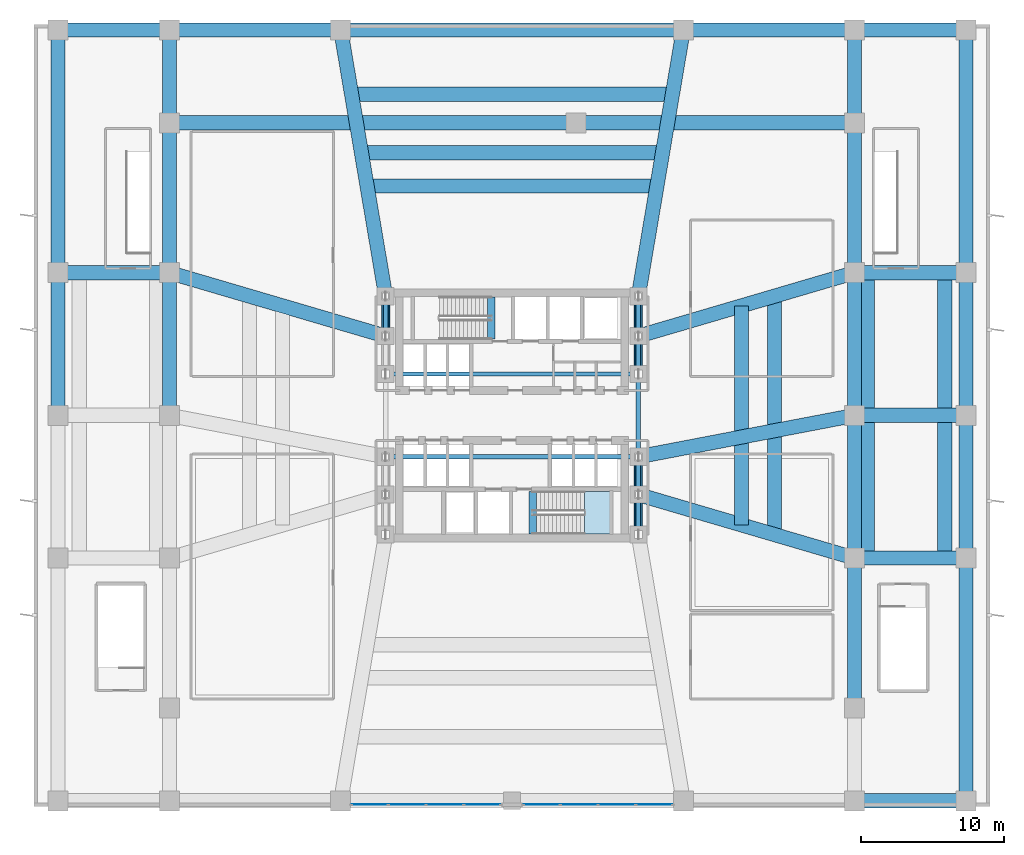
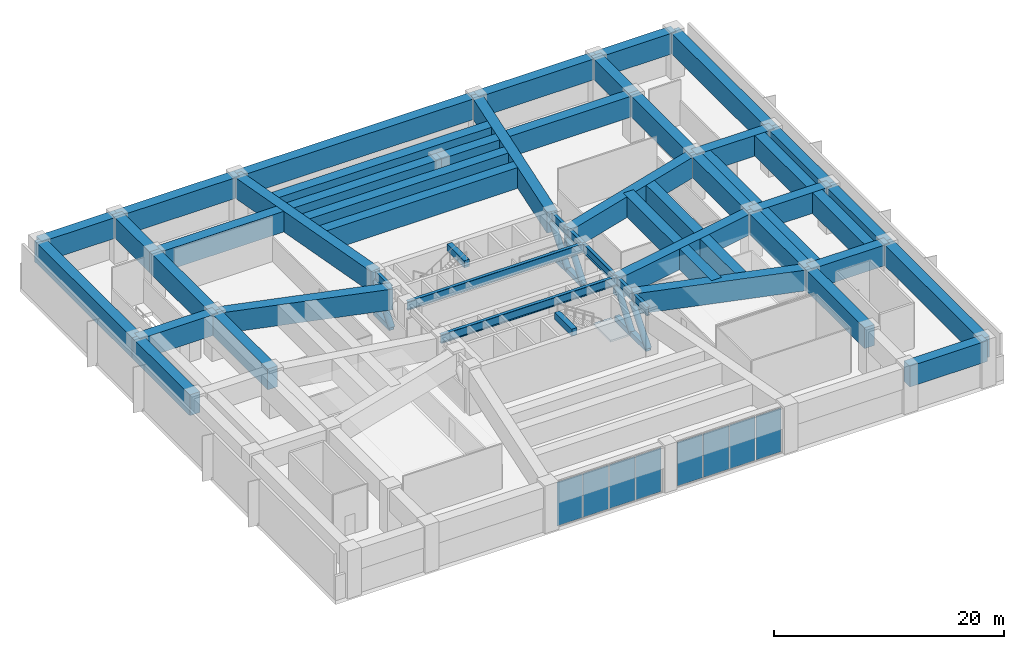
# One storey, part 5 of 14: 49 beams, 10 members, 8 plates, 1 slab, 3 elements without a shape of their own.
"""IFC4 building model written with IfcOpenShell, lengths in metres."""

from ifc_helpers import new_model, si_unit, direction, frame, origin, origin_2d, place, context, subcontext, project, spatial, polyline, rectangle, hollow_rectangle, hollow_circle, i_section, outline, extrude, material, layer, layer_set, material_profile, profile_set, type_object, element, aggregate, save


model = new_model("IFC4")

# Units and contexts
model_context = context("Model", 3, precision=1e-05, world=origin(), true_north=direction((0.0, 1.0)))
body_context = subcontext(model_context, "Body", "Model", "MODEL_VIEW")
ifc_project = project(units=[si_unit("LENGTHUNIT", "METRE"), si_unit("AREAUNIT", "SQUARE_METRE"), si_unit("VOLUMEUNIT", "CUBIC_METRE"), si_unit("PLANEANGLEUNIT", "RADIAN"), si_unit("MASSUNIT", "GRAM", prefix="KILO")], contexts=[model_context])

# Site, building, storey
site_placement = place(None, origin())
site = spatial("IfcSite", under=ifc_project, at=site_placement, CompositionType="ELEMENT")
building_placement = place(site_placement, origin())
building = spatial("IfcBuilding", under=site, at=building_placement, Name="Solmarez Civic Tower", CompositionType="ELEMENT")
storey_placement = place(building_placement, frame((0.0, 0.0, 19.43994140625)))
storey = spatial("IfcBuildingStorey", under=building, at=storey_placement, Name="L04", CompositionType="ELEMENT", Elevation=19.43994140625)

# Beams
ifc_material_1 = material(Name="Concrete C50/60", Category="concrete")
ifc_material_profile_1 = material_profile(ifc_material_1, rectangle(XDim=0.5, YDim=0.75, at=origin_2d()), Name="RC500X750")
ifc_profile_set_1 = profile_set([ifc_material_profile_1], Name="Concrete C50/60")
beam_type_1 = type_object("IfcBeamType", Name="BM-PR-RC500X750", PredefinedType="BEAM", material=ifc_profile_set_1)
for number, where, z_axis, x_axis, name in (
    (1, (-1.449951171875, 5.340087890625, 4.673095703125), (0.0, 1.0, 0.0), (-1.0, 0.0, 0.0), "L04 North Stair Threshold Beam"),
    (2, (1.449951171875, -8.300048828125, 4.673095703125), (0.0, 1.0, 0.0), (-1.0, 0.0, 0.0), "L04 South Stair Threshold Beam"),
):
    element("IfcBeam", number, at=place(storey_placement, frame(where, z_axis=z_axis, x_axis=x_axis)), inside=storey, type_object=beam_type_1, Name=name, PredefinedType="BEAM", context=body_context, shape_type="SweptSolid", body=[
        extrude(rectangle(XDim=0.5, YDim=0.75, at=origin_2d()), origin(), (0.0, 0.0, 1.0), 2.9599609375),
    ])
ifc_material_2 = material(Name="Steel S355", Category="steel")
ifc_material_profile_2 = material_profile(ifc_material_2, i_section(OverallWidth=0.306884765625, OverallDepth=0.927001953125, WebThickness=0.019287109375, FlangeThickness=0.031982421875, at=origin_2d()), Name="W36X194")
ifc_profile_set_2 = profile_set([ifc_material_profile_2], Name="Steel S355")
beam_type_2 = type_object("IfcBeamType", Name="BM-PR-W36X194", PredefinedType="BEAM", material=ifc_profile_set_2)
for number, where, z_axis, x_axis, name in (
    (3, (-8.85009765625, 5.550048828125, 4.316162109375), (0.0, 1.0, 0.0), (-1.0, 0.0, 0.0), "L04 Primary Floor Beam BM-L04-HC4-HC9"),
    (4, (8.85009765625, -8.35009765625, 4.316162109375), (0.0, 1.0, 0.0), (-1.0, 0.0, 0.0), "L04 Primary Floor Beam BM-L04-HC10-HC5"),
):
    element("IfcBeam", number, at=place(storey_placement, frame(where, z_axis=z_axis, x_axis=x_axis)), inside=storey, type_object=beam_type_2, Name=name, PredefinedType="BEAM", context=body_context, shape_type="SweptSolid", body=[
        extrude(i_section(OverallWidth=0.306884765625, OverallDepth=0.927001953125, WebThickness=0.019287109375, FlangeThickness=0.031982421875, at=origin_2d()), origin(), (0.0, 0.0, 1.0), 2.800048828125),
    ])
beam_1_placement = place(storey_placement, frame((8.85009765625, -5.550048828125, 4.316162109375), z_axis=(0.0, 1.0, 0.0), x_axis=(-1.0, 0.0, 0.0)))
element("IfcBeam", 5, at=beam_1_placement, inside=storey, type_object=beam_type_2, Name="L04 Primary Floor Beam BM-L04-HC5-HC6", PredefinedType="BEAM", context=body_context, shape_type="SweptSolid", body=[
    extrude(i_section(OverallWidth=0.306884765625, OverallDepth=0.927001953125, WebThickness=0.019287109375, FlangeThickness=0.031982421875, at=origin_2d()), origin(), (0.0, 0.0, 1.0), 2.650146484375),
])
beam_2_placement = place(storey_placement, frame((8.85009765625, -2.89990234375, 4.316162109375), z_axis=(0.0, 1.0, 0.0), x_axis=(-1.0, 0.0, 0.0)))
element("IfcBeam", 6, at=beam_2_placement, inside=storey, type_object=beam_type_2, Name="L04 Primary Floor Beam BM-L04-HC6-HC7", PredefinedType="BEAM", context=body_context, shape_type="SweptSolid", body=[
    extrude(i_section(OverallWidth=0.306884765625, OverallDepth=0.927001953125, WebThickness=0.019287109375, FlangeThickness=0.031982421875, at=origin_2d()), origin(), (0.0, 0.0, 1.0), 5.7998046875),
])
beam_3_placement = place(storey_placement, frame((8.85009765625, 2.89990234375, 4.316162109375), z_axis=(0.0, 1.0, 0.0), x_axis=(-1.0, 0.0, 0.0)))
element("IfcBeam", 7, at=beam_3_placement, inside=storey, type_object=beam_type_2, Name="L04 Primary Floor Beam BM-L04-HC7-HC8", PredefinedType="BEAM", context=body_context, shape_type="SweptSolid", body=[
    extrude(i_section(OverallWidth=0.306884765625, OverallDepth=0.927001953125, WebThickness=0.019287109375, FlangeThickness=0.031982421875, at=origin_2d()), origin(), (0.0, 0.0, 1.0), 2.650146484375),
])
beam_4_placement = place(storey_placement, frame((8.85009765625, 5.550048828125, 4.316162109375), z_axis=(0.0, 1.0, 0.0), x_axis=(-1.0, 0.0, 0.0)))
element("IfcBeam", 8, at=beam_4_placement, inside=storey, type_object=beam_type_2, Name="L04 Primary Floor Beam BM-L04-HC8-HC11", PredefinedType="BEAM", context=body_context, shape_type="SweptSolid", body=[
    extrude(i_section(OverallWidth=0.306884765625, OverallDepth=0.927001953125, WebThickness=0.019287109375, FlangeThickness=0.031982421875, at=origin_2d()), origin(), (0.0, 0.0, 1.0), 2.800048828125),
])
for number, where, z_axis, x_axis, name in (
    (9, (-8.85009765625, -2.89990234375, 4.316162109375), (1.0, 0.0, 0.0), (0.0, 1.0, 0.0), "L04 Primary Floor Beam BM-L04-HC2-HC6"),
    (10, (-8.85009765625, 2.89990234375, 4.316162109375), (1.0, 0.0, 0.0), (0.0, 1.0, 0.0), "L04 Primary Floor Beam BM-L04-HC3-HC7"),
):
    element("IfcBeam", number, at=place(storey_placement, frame(where, z_axis=z_axis, x_axis=x_axis)), inside=storey, type_object=beam_type_2, Name=name, PredefinedType="BEAM", context=body_context, shape_type="SweptSolid", body=[
        extrude(i_section(OverallWidth=0.306884765625, OverallDepth=0.927001953125, WebThickness=0.019287109375, FlangeThickness=0.031982421875, at=origin_2d()), origin(), (0.0, 0.0, 1.0), 17.7001953125),
    ])
ifc_material_3 = material(Name="Concrete C60/75", Category="concrete")
ifc_material_profile_3 = material_profile(ifc_material_3, rectangle(XDim=1.0, YDim=2.199951171875, at=origin_2d()), Name="RC1000X2200")
ifc_profile_set_3 = profile_set([ifc_material_profile_3], Name="Concrete C60/75")
beam_type_3 = type_object("IfcBeamType", Name="BM-TG-RC1000X2200", PredefinedType="USERDEFINED", material=ifc_profile_set_3)
for number, where, z_axis, x_axis, name in (
    (11, (24.0, -27.0, 3.68017578125), (1.0, 0.0, 0.0), (0.0, 1.0, 0.0), "L04 Transfer Girder BM-L04-PC05-PC06"),
    (12, (-31.800048828125, 27.0, 3.68017578125), (1.0, 0.0, 0.0), (0.0, 1.0, 0.0), "L04 Transfer Girder BM-L04-PC07-PC08"),
):
    element("IfcBeam", number, at=place(storey_placement, frame(where, z_axis=z_axis, x_axis=x_axis)), inside=storey, type_object=beam_type_3, Name=name, ObjectType="TRANSFER_GIRDER", PredefinedType="USERDEFINED", context=body_context, shape_type="SweptSolid", body=[
        extrude(rectangle(XDim=1.0, YDim=2.199951171875, at=origin_2d()), origin(), (0.0, 0.0, 1.0), 7.800048828125),
    ])
beam_5_placement = place(storey_placement, frame((-24.0, 27.0, 3.68017578125), z_axis=(1.0, 0.0, 0.0), x_axis=(0.0, 1.0, 0.0)))
element("IfcBeam", 13, at=beam_5_placement, inside=storey, type_object=beam_type_3, Name="L04 Transfer Girder BM-L04-PC08-PC09", ObjectType="TRANSFER_GIRDER", PredefinedType="USERDEFINED", context=body_context, shape_type="SweptSolid", body=[
    extrude(rectangle(XDim=1.0, YDim=2.199951171875, at=origin_2d()), origin(), (0.0, 0.0, 1.0), 12.0),
])
beam_6_placement = place(storey_placement, frame((-12.0, 27.0, 3.68017578125), z_axis=(1.0, 0.0, 0.0), x_axis=(0.0, 1.0, 0.0)))
element("IfcBeam", 14, at=beam_6_placement, inside=storey, type_object=beam_type_3, Name="L04 Transfer Girder BM-L04-PC09-PC10", ObjectType="TRANSFER_GIRDER", PredefinedType="USERDEFINED", context=body_context, shape_type="SweptSolid", body=[
    extrude(rectangle(XDim=1.0, YDim=2.199951171875, at=origin_2d()), origin(), (0.0, 0.0, 1.0), 24.0),
])
beam_7_placement = place(storey_placement, frame((-24.0, 20.5, 3.68017578125), z_axis=(1.0, 0.0, 0.0), x_axis=(0.0, 1.0, 0.0)))
element("IfcBeam", 15, at=beam_7_placement, inside=storey, type_object=beam_type_3, Name="L04 Transfer Girder BM-L04-PC29-PC25", ObjectType="TRANSFER_GIRDER", PredefinedType="USERDEFINED", context=body_context, shape_type="SweptSolid", body=[
    extrude(rectangle(XDim=1.0, YDim=2.199951171875, at=origin_2d()), origin(), (0.0, 0.0, 1.0), 28.5),
])
beam_8_placement = place(storey_placement, frame((4.5, 20.5, 3.68017578125), z_axis=(1.0, 0.0, 0.0), x_axis=(0.0, 1.0, 0.0)))
element("IfcBeam", 16, at=beam_8_placement, inside=storey, type_object=beam_type_3, Name="L04 Transfer Girder BM-L04-PC25-PC30", ObjectType="TRANSFER_GIRDER", PredefinedType="USERDEFINED", context=body_context, shape_type="SweptSolid", body=[
    extrude(rectangle(XDim=1.0, YDim=2.199951171875, at=origin_2d()), origin(), (0.0, 0.0, 1.0), 19.5),
])
beam_9_placement = place(storey_placement, frame((12.0, 27.0, 3.68017578125), z_axis=(1.0, 0.0, 0.0), x_axis=(0.0, 1.0, 0.0)))
element("IfcBeam", 17, at=beam_9_placement, inside=storey, type_object=beam_type_3, Name="L04 Transfer Girder BM-L04-PC10-PC11", ObjectType="TRANSFER_GIRDER", PredefinedType="USERDEFINED", context=body_context, shape_type="SweptSolid", body=[
    extrude(rectangle(XDim=1.0, YDim=2.199951171875, at=origin_2d()), origin(), (0.0, 0.0, 1.0), 12.0),
])
beam_10_placement = place(storey_placement, frame((24.0, 27.0, 3.68017578125), z_axis=(1.0, 0.0, 0.0), x_axis=(0.0, 1.0, 0.0)))
element("IfcBeam", 18, at=beam_10_placement, inside=storey, type_object=beam_type_3, Name="L04 Transfer Girder BM-L04-PC11-PC12", ObjectType="TRANSFER_GIRDER", PredefinedType="USERDEFINED", context=body_context, shape_type="SweptSolid", body=[
    extrude(rectangle(XDim=1.0, YDim=2.199951171875, at=origin_2d()), origin(), (0.0, 0.0, 1.0), 7.800048828125),
])
beam_11_placement = place(storey_placement, frame((-31.800048828125, 0.0, 3.68017578125), z_axis=(0.0, 1.0, 0.0), x_axis=(-1.0, 0.0, 0.0)))
element("IfcBeam", 19, at=beam_11_placement, inside=storey, type_object=beam_type_3, Name="L04 Transfer Girder BM-L04-PC14-PC15", ObjectType="TRANSFER_GIRDER", PredefinedType="USERDEFINED", context=body_context, shape_type="SweptSolid", body=[
    extrude(rectangle(XDim=1.0, YDim=2.199951171875, at=origin_2d()), origin(), (0.0, 0.0, 1.0), 10.0),
])
for number, where, z_axis, x_axis, name in (
    (20, (-31.800048828125, 10.0, 3.68017578125), (0.0, 1.0, 0.0), (-1.0, 0.0, 0.0), "L04 Transfer Girder BM-L04-PC15-PC07"),
    (21, (31.800048828125, -27.0, 3.68017578125), (0.0, 1.0, 0.0), (-1.0, 0.0, 0.0), "L04 Transfer Girder BM-L04-PC06-PC16"),
):
    element("IfcBeam", number, at=place(storey_placement, frame(where, z_axis=z_axis, x_axis=x_axis)), inside=storey, type_object=beam_type_3, Name=name, ObjectType="TRANSFER_GIRDER", PredefinedType="USERDEFINED", context=body_context, shape_type="SweptSolid", body=[
        extrude(rectangle(XDim=1.0, YDim=2.199951171875, at=origin_2d()), origin(), (0.0, 0.0, 1.0), 17.0),
    ])
for number, where, z_axis, x_axis, name in (
    (22, (31.800048828125, -10.0, 3.68017578125), (0.0, 1.0, 0.0), (-1.0, 0.0, 0.0), "L04 Transfer Girder BM-L04-PC16-PC17"),
    (23, (31.800048828125, 0.0, 3.68017578125), (0.0, 1.0, 0.0), (-1.0, 0.0, 0.0), "L04 Transfer Girder BM-L04-PC17-PC18"),
):
    element("IfcBeam", number, at=place(storey_placement, frame(where, z_axis=z_axis, x_axis=x_axis)), inside=storey, type_object=beam_type_3, Name=name, ObjectType="TRANSFER_GIRDER", PredefinedType="USERDEFINED", context=body_context, shape_type="SweptSolid", body=[
        extrude(rectangle(XDim=1.0, YDim=2.199951171875, at=origin_2d()), origin(), (0.0, 0.0, 1.0), 10.0),
    ])
beam_12_placement = place(storey_placement, frame((31.800048828125, 10.0, 3.68017578125), z_axis=(0.0, 1.0, 0.0), x_axis=(-1.0, 0.0, 0.0)))
element("IfcBeam", 24, at=beam_12_placement, inside=storey, type_object=beam_type_3, Name="L04 Transfer Girder BM-L04-PC18-PC12", ObjectType="TRANSFER_GIRDER", PredefinedType="USERDEFINED", context=body_context, shape_type="SweptSolid", body=[
    extrude(rectangle(XDim=1.0, YDim=2.199951171875, at=origin_2d()), origin(), (0.0, 0.0, 1.0), 17.0),
])
beam_13_placement = place(storey_placement, frame((-24.0, 0.0, 3.68017578125), z_axis=(0.0, 1.0, 0.0), x_axis=(-1.0, 0.0, 0.0)))
element("IfcBeam", 25, at=beam_13_placement, inside=storey, type_object=beam_type_3, Name="L04 Transfer Girder BM-L04-PC20-PC21", ObjectType="TRANSFER_GIRDER", PredefinedType="USERDEFINED", context=body_context, shape_type="SweptSolid", body=[
    extrude(rectangle(XDim=1.0, YDim=2.199951171875, at=origin_2d()), origin(), (0.0, 0.0, 1.0), 10.0),
])
beam_14_placement = place(storey_placement, frame((-24.0, 10.0, 3.68017578125), z_axis=(0.0, 1.0, 0.0), x_axis=(-1.0, 0.0, 0.0)))
element("IfcBeam", 26, at=beam_14_placement, inside=storey, type_object=beam_type_3, Name="L04 Transfer Girder BM-L04-PC21-PC29", ObjectType="TRANSFER_GIRDER", PredefinedType="USERDEFINED", context=body_context, shape_type="SweptSolid", body=[
    extrude(rectangle(XDim=1.0, YDim=2.199951171875, at=origin_2d()), origin(), (0.0, 0.0, 1.0), 10.5),
])
beam_15_placement = place(storey_placement, frame((-24.0, 20.5, 3.68017578125), z_axis=(0.0, 1.0, 0.0), x_axis=(-1.0, 0.0, 0.0)))
element("IfcBeam", 27, at=beam_15_placement, inside=storey, type_object=beam_type_3, Name="L04 Transfer Girder BM-L04-PC29-PC08", ObjectType="TRANSFER_GIRDER", PredefinedType="USERDEFINED", context=body_context, shape_type="SweptSolid", body=[
    extrude(rectangle(XDim=1.0, YDim=2.199951171875, at=origin_2d()), origin(), (0.0, 0.0, 1.0), 6.5),
])
beam_16_placement = place(storey_placement, frame((24.0, -20.5, 3.68017578125), z_axis=(0.0, 1.0, 0.0), x_axis=(-1.0, 0.0, 0.0)))
element("IfcBeam", 28, at=beam_16_placement, inside=storey, type_object=beam_type_3, Name="L04 Transfer Girder BM-L04-PC28-PC22", ObjectType="TRANSFER_GIRDER", PredefinedType="USERDEFINED", context=body_context, shape_type="SweptSolid", body=[
    extrude(rectangle(XDim=1.0, YDim=2.199951171875, at=origin_2d()), origin(), (0.0, 0.0, 1.0), 10.5),
])
for number, where, z_axis, x_axis, name in (
    (29, (24.0, -10.0, 3.68017578125), (0.0, 1.0, 0.0), (-1.0, 0.0, 0.0), "L04 Transfer Girder BM-L04-PC22-PC23"),
    (30, (24.0, 0.0, 3.68017578125), (0.0, 1.0, 0.0), (-1.0, 0.0, 0.0), "L04 Transfer Girder BM-L04-PC23-PC24"),
):
    element("IfcBeam", number, at=place(storey_placement, frame(where, z_axis=z_axis, x_axis=x_axis)), inside=storey, type_object=beam_type_3, Name=name, ObjectType="TRANSFER_GIRDER", PredefinedType="USERDEFINED", context=body_context, shape_type="SweptSolid", body=[
        extrude(rectangle(XDim=1.0, YDim=2.199951171875, at=origin_2d()), origin(), (0.0, 0.0, 1.0), 10.0),
    ])
beam_17_placement = place(storey_placement, frame((24.0, 10.0, 3.68017578125), z_axis=(0.0, 1.0, 0.0), x_axis=(-1.0, 0.0, 0.0)))
element("IfcBeam", 31, at=beam_17_placement, inside=storey, type_object=beam_type_3, Name="L04 Transfer Girder BM-L04-PC24-PC30", ObjectType="TRANSFER_GIRDER", PredefinedType="USERDEFINED", context=body_context, shape_type="SweptSolid", body=[
    extrude(rectangle(XDim=1.0, YDim=2.199951171875, at=origin_2d()), origin(), (0.0, 0.0, 1.0), 10.5),
])
beam_18_placement = place(storey_placement, frame((24.0, 20.5, 3.68017578125), z_axis=(0.0, 1.0, 0.0), x_axis=(-1.0, 0.0, 0.0)))
element("IfcBeam", 32, at=beam_18_placement, inside=storey, type_object=beam_type_3, Name="L04 Transfer Girder BM-L04-PC30-PC11", ObjectType="TRANSFER_GIRDER", PredefinedType="USERDEFINED", context=body_context, shape_type="SweptSolid", body=[
    extrude(rectangle(XDim=1.0, YDim=2.199951171875, at=origin_2d()), origin(), (0.0, 0.0, 1.0), 6.5),
])
for number, where, z_axis, x_axis, name in (
    (33, (-31.800048828125, 10.0, 3.68017578125), (1.0, 0.0, 0.0), (0.0, 1.0, 0.0), "L04 Transfer Girder BM-L04-PC15-PC21"),
    (34, (31.800048828125, -10.0, 3.68017578125), (-1.0, 0.0, 0.0), (0.0, -1.0, 0.0), "L04 Transfer Girder BM-L04-PC16-PC22"),
    (35, (31.800048828125, 0.0, 3.68017578125), (-1.0, 0.0, 0.0), (0.0, -1.0, 0.0), "L04 Transfer Girder BM-L04-PC17-PC23"),
    (36, (31.800048828125, 10.0, 3.68017578125), (-1.0, 0.0, 0.0), (0.0, -1.0, 0.0), "L04 Transfer Girder BM-L04-PC18-PC24"),
):
    element("IfcBeam", number, at=place(storey_placement, frame(where, z_axis=z_axis, x_axis=x_axis)), inside=storey, type_object=beam_type_3, Name=name, ObjectType="TRANSFER_GIRDER", PredefinedType="USERDEFINED", context=body_context, shape_type="SweptSolid", body=[
        extrude(rectangle(XDim=1.0, YDim=2.199951171875, at=origin_2d()), origin(), (0.0, 0.0, 1.0), 7.800048828125),
    ])
for number, where, z_axis, x_axis, name in (
    (37, (-24.0, 10.0, 3.68017578125), (0.959466630969, -0.281822256143, 0.0), (0.281822256143, 0.959466630969, 0.0), "L04 Transfer Girder BM-L04-PC21-HC4"),
    (38, (24.0, -10.0, 3.68017578125), (-0.959466630969, 0.281822256143, 0.0), (-0.281822256143, -0.959466630969, 0.0), "L04 Transfer Girder BM-L04-PC22-HC5"),
):
    element("IfcBeam", number, at=place(storey_placement, frame(where, z_axis=z_axis, x_axis=x_axis)), inside=storey, type_object=beam_type_3, Name=name, ObjectType="TRANSFER_GIRDER", PredefinedType="USERDEFINED", context=body_context, shape_type="SweptSolid", body=[
        extrude(rectangle(XDim=1.0, YDim=2.199951171875, at=origin_2d()), origin(), (0.0, 0.0, 1.0), 15.7900390625),
    ])
beam_19_placement = place(storey_placement, frame((24.0, 0.0, 3.68017578125), z_axis=(-0.982168874333, -0.188000803966, 0.0), x_axis=(0.188000803966, -0.982168874333, 0.0)))
element("IfcBeam", 39, at=beam_19_placement, inside=storey, type_object=beam_type_3, Name="L04 Transfer Girder BM-L04-PC23-HC6", ObjectType="TRANSFER_GIRDER", PredefinedType="USERDEFINED", context=body_context, shape_type="SweptSolid", body=[
    extrude(rectangle(XDim=1.0, YDim=2.199951171875, at=origin_2d()), origin(), (0.0, 0.0, 1.0), 15.425048828125),
])
beam_20_placement = place(storey_placement, frame((24.0, 10.0, 3.68017578125), z_axis=(-0.959466630969, -0.281822256143, 0.0), x_axis=(0.281822256143, -0.959466630969, 0.0)))
element("IfcBeam", 40, at=beam_20_placement, inside=storey, type_object=beam_type_3, Name="L04 Transfer Girder BM-L04-PC24-HC8", ObjectType="TRANSFER_GIRDER", PredefinedType="USERDEFINED", context=body_context, shape_type="SweptSolid", body=[
    extrude(rectangle(XDim=1.0, YDim=2.199951171875, at=origin_2d()), origin(), (0.0, 0.0, 1.0), 15.7900390625),
])
for number, where, z_axis, x_axis, name in (
    (41, (-12.0, 27.0, 3.68017578125), (0.166537824737, -0.986035066786, 0.0), (0.986035066786, 0.166537824737, 0.0), "L04 Transfer Girder BM-L04-PC09-HC9"),
    (42, (12.0, 27.0, 3.68017578125), (-0.166537824737, -0.986035066786, 0.0), (0.986035066786, -0.166537824737, 0.0), "L04 Transfer Girder BM-L04-PC10-HC11"),
):
    element("IfcBeam", number, at=place(storey_placement, frame(where, z_axis=z_axis, x_axis=x_axis)), inside=storey, type_object=beam_type_3, Name=name, ObjectType="TRANSFER_GIRDER", PredefinedType="USERDEFINED", context=body_context, shape_type="SweptSolid", body=[
        extrude(rectangle(XDim=1.0, YDim=2.199951171875, at=origin_2d()), origin(), (0.0, 0.0, 1.0), 18.9140625),
    ])
beam_21_placement = place(storey_placement, frame((18.39111328125, -8.35205078125, 3.68017578125), z_axis=(0.0, 1.0, 0.0), x_axis=(-1.0, 0.0, 0.0)))
element("IfcBeam", 43, at=beam_21_placement, inside=storey, type_object=beam_type_3, Name="L04 Transfer Girder TG-L04-EA11", ObjectType="TRANSFER_GIRDER", PredefinedType="USERDEFINED", context=body_context, shape_type="SweptSolid", body=[
    extrude(rectangle(XDim=1.0, YDim=2.199951171875, at=origin_2d()), origin(), (0.0, 0.0, 1.0), 16.7041015625),
])
beam_22_placement = place(storey_placement, frame((16.075927734375, -7.672119140625, 3.68017578125), z_axis=(0.0, 1.0, 0.0), x_axis=(-1.0, 0.0, 0.0)))
element("IfcBeam", 44, at=beam_22_placement, inside=storey, type_object=beam_type_3, Name="L04 Transfer Girder TG-L04-EA12", ObjectType="TRANSFER_GIRDER", PredefinedType="USERDEFINED", context=body_context, shape_type="SweptSolid", body=[
    extrude(rectangle(XDim=1.0, YDim=2.199951171875, at=origin_2d()), origin(), (0.0, 0.0, 1.0), 15.34423828125),
])
for number, where, z_axis, x_axis, name in (
    (45, (30.318115234375, -10.0, 3.68017578125), (0.0, 1.0, 0.0), (-1.0, 0.0, 0.0), "L04 Transfer Girder TG-L04-EA21"),
    (46, (24.887939453125, -10.0, 3.68017578125), (0.0, 1.0, 0.0), (-1.0, 0.0, 0.0), "L04 Transfer Girder TG-L04-EA22"),
):
    element("IfcBeam", number, at=place(storey_placement, frame(where, z_axis=z_axis, x_axis=x_axis)), inside=storey, type_object=beam_type_3, Name=name, ObjectType="TRANSFER_GIRDER", PredefinedType="USERDEFINED", context=body_context, shape_type="SweptSolid", body=[
        extrude(rectangle(XDim=1.0, YDim=2.199951171875, at=origin_2d()), origin(), (0.0, 0.0, 1.0), 20.0),
    ])
beam_23_placement = place(storey_placement, frame((-10.455078125, 18.39111328125, 3.68017578125), z_axis=(1.0, 0.0, 0.0), x_axis=(0.0, 1.0, 0.0)))
element("IfcBeam", 47, at=beam_23_placement, inside=storey, type_object=beam_type_3, Name="L04 Transfer Girder TG-L04-NA11", ObjectType="TRANSFER_GIRDER", PredefinedType="USERDEFINED", context=body_context, shape_type="SweptSolid", body=[
    extrude(rectangle(XDim=1.0, YDim=2.199951171875, at=origin_2d()), origin(), (0.0, 0.0, 1.0), 20.91015625),
])
beam_24_placement = place(storey_placement, frame((-10.0390625, 16.075927734375, 3.68017578125), z_axis=(1.0, 0.0, 0.0), x_axis=(0.0, 1.0, 0.0)))
element("IfcBeam", 48, at=beam_24_placement, inside=storey, type_object=beam_type_3, Name="L04 Transfer Girder TG-L04-NA12", ObjectType="TRANSFER_GIRDER", PredefinedType="USERDEFINED", context=body_context, shape_type="SweptSolid", body=[
    extrude(rectangle(XDim=1.0, YDim=2.199951171875, at=origin_2d()), origin(), (0.0, 0.0, 1.0), 20.078125),
])
beam_25_placement = place(storey_placement, frame((-11.194091796875, 22.507080078125, 3.68017578125), z_axis=(1.0, 0.0, 0.0), x_axis=(0.0, 1.0, 0.0)))
element("IfcBeam", 49, at=beam_25_placement, inside=storey, type_object=beam_type_3, Name="L04 Transfer Girder TG-L04-NA22", ObjectType="TRANSFER_GIRDER", PredefinedType="USERDEFINED", context=body_context, shape_type="SweptSolid", body=[
    extrude(rectangle(XDim=1.0, YDim=2.199951171875, at=origin_2d()), origin(), (0.0, 0.0, 1.0), 22.38818359375),
])

# Members
ifc_material_profile_4 = material_profile(ifc_material_2, hollow_circle(Radius=0.304931640625, WallThickness=0.02490234375, at=origin_2d()), Name="CHS610X25")
ifc_profile_set_4 = profile_set([ifc_material_profile_4], Name="Steel S355")
member_type_1 = type_object("IfcMemberType", Name="MEM-BRC-CHS610", PredefinedType="BRACE", material=ifc_profile_set_4)
for number, where, z_axis, x_axis, name in (
    (50, (-8.85009765625, 5.550048828125, 0.35009765625), (0.0, 0.637960380463, 0.770069187125), (-1.0, 0.0, 0.0), "L04 Belt Truss Diagonal Brace 4"),
    (51, (8.85009765625, -8.35009765625, 0.35009765625), (0.0, 0.637960380463, 0.770069187125), (-1.0, 0.0, 0.0), "L04 Belt Truss Diagonal Brace 5"),
):
    element("IfcMember", number, at=place(storey_placement, frame(where, z_axis=z_axis, x_axis=x_axis)), inside=storey, type_object=member_type_1, Name=name, PredefinedType="BRACE", context=body_context, shape_type="SweptSolid", body=[
        extrude(hollow_circle(Radius=0.304931640625, WallThickness=0.02490234375, at=origin_2d()), origin(), (0.0, 0.0, 1.0), 4.38916015625),
    ])
for number, where, z_axis, x_axis, name in (
    (52, (8.85009765625, -5.550048828125, 0.35009765625), (0.0, 0.617032967918, 0.786937301507), (-1.0, 0.0, 0.0), "L04 Belt Truss Diagonal Brace 6"),
    (53, (8.85009765625, 2.89990234375, 0.35009765625), (0.0, 0.617032967918, 0.786937301507), (-1.0, 0.0, 0.0), "L04 Belt Truss Diagonal Brace 7"),
):
    element("IfcMember", number, at=place(storey_placement, frame(where, z_axis=z_axis, x_axis=x_axis)), inside=storey, type_object=member_type_1, Name=name, PredefinedType="BRACE", context=body_context, shape_type="SweptSolid", body=[
        extrude(hollow_circle(Radius=0.304931640625, WallThickness=0.02490234375, at=origin_2d()), origin(), (0.0, 0.0, 1.0), 4.294921875),
    ])
member_1_placement = place(storey_placement, frame((8.85009765625, 5.550048828125, 0.35009765625), z_axis=(0.0, 0.637960380463, 0.770069187125), x_axis=(-1.0, 0.0, 0.0)))
element("IfcMember", 54, at=member_1_placement, inside=storey, type_object=member_type_1, Name="L04 Belt Truss Diagonal Brace 8", PredefinedType="BRACE", context=body_context, shape_type="SweptSolid", body=[
    extrude(hollow_circle(Radius=0.304931640625, WallThickness=0.02490234375, at=origin_2d()), origin(), (0.0, 0.0, 1.0), 4.38916015625),
])
ifc_material_profile_5 = material_profile(ifc_material_2, hollow_rectangle(XDim=0.5, YDim=0.5, WallThickness=0.02490234375, at=origin_2d()), Name="HSS500X500X25")
ifc_profile_set_5 = profile_set([ifc_material_profile_5], Name="Steel S355")
member_type_2 = type_object("IfcMemberType", Name="MEM-CHD-HSS500", PredefinedType="CHORD", material=ifc_profile_set_5)
for number, where, z_axis, x_axis, name in (
    (55, (-8.85009765625, 5.550048828125, 0.35009765625), (0.0, 1.0, 0.0), (-1.0, 0.0, 0.0), "L04 Belt Truss Bottom Chord 4"),
    (56, (8.85009765625, -8.35009765625, 0.35009765625), (0.0, 1.0, 0.0), (-1.0, 0.0, 0.0), "L04 Belt Truss Bottom Chord 5"),
):
    element("IfcMember", number, at=place(storey_placement, frame(where, z_axis=z_axis, x_axis=x_axis)), inside=storey, type_object=member_type_2, Name=name, PredefinedType="CHORD", context=body_context, shape_type="SweptSolid", body=[
        extrude(hollow_rectangle(XDim=0.5, YDim=0.5, WallThickness=0.02490234375, at=origin_2d()), origin(), (0.0, 0.0, 1.0), 2.800048828125),
    ])
for number, where, z_axis, x_axis, name in (
    (57, (8.85009765625, -5.550048828125, 0.35009765625), (0.0, 1.0, 0.0), (-1.0, 0.0, 0.0), "L04 Belt Truss Bottom Chord 6"),
    (58, (8.85009765625, 2.89990234375, 0.35009765625), (0.0, 1.0, 0.0), (-1.0, 0.0, 0.0), "L04 Belt Truss Bottom Chord 7"),
):
    element("IfcMember", number, at=place(storey_placement, frame(where, z_axis=z_axis, x_axis=x_axis)), inside=storey, type_object=member_type_2, Name=name, PredefinedType="CHORD", context=body_context, shape_type="SweptSolid", body=[
        extrude(hollow_rectangle(XDim=0.5, YDim=0.5, WallThickness=0.02490234375, at=origin_2d()), origin(), (0.0, 0.0, 1.0), 2.650146484375),
    ])
member_2_placement = place(storey_placement, frame((8.85009765625, 5.550048828125, 0.35009765625), z_axis=(0.0, 1.0, 0.0), x_axis=(-1.0, 0.0, 0.0)))
element("IfcMember", 59, at=member_2_placement, inside=storey, type_object=member_type_2, Name="L04 Belt Truss Bottom Chord 8", PredefinedType="CHORD", context=body_context, shape_type="SweptSolid", body=[
    extrude(hollow_rectangle(XDim=0.5, YDim=0.5, WallThickness=0.02490234375, at=origin_2d()), origin(), (0.0, 0.0, 1.0), 2.800048828125),
])

# Curtain wall, plates
ifc_material_4 = material(Name="Bronze Anodised Aluminium EN AW-6063 T6", Category="aluminium")
ifc_layer_1 = layer(ifc_material_4, 0.199951171875)
ifc_layer_set_1 = layer_set([ifc_layer_1], Name="Bronze Anodised Aluminium EN AW-6063 T6")
curtain_wall_type = type_object("IfcCurtainWallType", Name="CW-SYS-1", PredefinedType="NOTDEFINED", material=ifc_layer_set_1)
curtain_wall_1_placement = place(storey_placement, origin())
curtain_wall_1 = element("IfcCurtainWall", 60, at=curtain_wall_1_placement, inside=storey, type_object=curtain_wall_type, Name="L04 Podium Monumental Curtain Wall SE", PredefinedType="NOTDEFINED")
ifc_material_5 = material(Name="Solar Control Low-E Laminated Vision Glass", Category="glass")
ifc_layer_2 = layer(ifc_material_5, 0.028076171875)
ifc_layer_set_2 = layer_set([ifc_layer_2], Name="Solar Control Low-E Laminated Vision Glass")
plate_type = type_object("IfcPlateType", Name="CWP-GLAZ-28", PredefinedType="CURTAIN_PANEL", material=ifc_layer_set_2)
plate_1_placement = place(storey_placement, frame((9.96240234375, -27.27001953125, 0.0703125), z_axis=(0.0, 0.0, 1.0), x_axis=(-1.0, 0.0, 0.0)))
plate_1 = element("IfcPlate", 61, at=plate_1_placement, type_object=plate_type, Name="CWS1 panel 1.1", PredefinedType="CURTAIN_PANEL", context=body_context, shape_type="SweptSolid", body=[
    extrude(rectangle(XDim=2.52490234375, YDim=0.028076171875, at=origin_2d()), origin(), (0.0, 0.0, 1.0), 4.639892578125),
])
plate_2_placement = place(storey_placement, frame((7.34375, -27.27001953125, 0.0703125), z_axis=(0.0, 0.0, 1.0), x_axis=(-1.0, 0.0, 0.0)))
plate_2 = element("IfcPlate", 62, at=plate_2_placement, type_object=plate_type, Name="CWS1 panel 2.1", PredefinedType="CURTAIN_PANEL", context=body_context, shape_type="SweptSolid", body=[
    extrude(rectangle(XDim=2.5625, YDim=0.028076171875, at=origin_2d()), origin(), (0.0, 0.0, 1.0), 4.639892578125),
])
plate_3_placement = place(storey_placement, frame((4.706298828125, -27.27001953125, 0.0703125), z_axis=(0.0, 0.0, 1.0), x_axis=(-1.0, 0.0, 0.0)))
plate_3 = element("IfcPlate", 63, at=plate_3_placement, type_object=plate_type, Name="CWS1 panel 3.1", PredefinedType="CURTAIN_PANEL", context=body_context, shape_type="SweptSolid", body=[
    extrude(rectangle(XDim=2.5625, YDim=0.028076171875, at=origin_2d()), origin(), (0.0, 0.0, 1.0), 4.639892578125),
])
plate_4_placement = place(storey_placement, frame((2.08740234375, -27.27001953125, 0.0703125), z_axis=(0.0, 0.0, 1.0), x_axis=(-1.0, 0.0, 0.0)))
plate_4 = element("IfcPlate", 64, at=plate_4_placement, type_object=plate_type, Name="CWS1 panel 4.1", PredefinedType="CURTAIN_PANEL", context=body_context, shape_type="SweptSolid", body=[
    extrude(rectangle(XDim=2.52490234375, YDim=0.028076171875, at=origin_2d()), origin(), (0.0, 0.0, 1.0), 4.639892578125),
])
aggregate(curtain_wall_1, [plate_1, plate_2, plate_3, plate_4])

curtain_wall_2_placement = place(storey_placement, origin())
curtain_wall_2 = element("IfcCurtainWall", 65, at=curtain_wall_2_placement, inside=storey, type_object=curtain_wall_type, Name="L04 Podium Monumental Curtain Wall SW", PredefinedType="NOTDEFINED")
plate_5_placement = place(storey_placement, frame((-2.08740234375, -27.27001953125, 0.0703125), z_axis=(0.0, 0.0, 1.0), x_axis=(-1.0, 0.0, 0.0)))
plate_5 = element("IfcPlate", 66, at=plate_5_placement, type_object=plate_type, Name="CWS1 panel 1.1", PredefinedType="CURTAIN_PANEL", context=body_context, shape_type="SweptSolid", body=[
    extrude(rectangle(XDim=2.52490234375, YDim=0.028076171875, at=origin_2d()), origin(), (0.0, 0.0, 1.0), 4.639892578125),
])
plate_6_placement = place(storey_placement, frame((-4.706298828125, -27.27001953125, 0.0703125), z_axis=(0.0, 0.0, 1.0), x_axis=(-1.0, 0.0, 0.0)))
plate_6 = element("IfcPlate", 67, at=plate_6_placement, type_object=plate_type, Name="CWS1 panel 2.1", PredefinedType="CURTAIN_PANEL", context=body_context, shape_type="SweptSolid", body=[
    extrude(rectangle(XDim=2.5625, YDim=0.028076171875, at=origin_2d()), origin(), (0.0, 0.0, 1.0), 4.639892578125),
])
plate_7_placement = place(storey_placement, frame((-7.34375, -27.27001953125, 0.0703125), z_axis=(0.0, 0.0, 1.0), x_axis=(-1.0, 0.0, 0.0)))
plate_7 = element("IfcPlate", 68, at=plate_7_placement, type_object=plate_type, Name="CWS1 panel 3.1", PredefinedType="CURTAIN_PANEL", context=body_context, shape_type="SweptSolid", body=[
    extrude(rectangle(XDim=2.5625, YDim=0.028076171875, at=origin_2d()), origin(), (0.0, 0.0, 1.0), 4.639892578125),
])
plate_8_placement = place(storey_placement, frame((-9.96240234375, -27.27001953125, 0.0703125), z_axis=(0.0, 0.0, 1.0), x_axis=(-1.0, 0.0, 0.0)))
plate_8 = element("IfcPlate", 69, at=plate_8_placement, type_object=plate_type, Name="CWS1 panel 4.1", PredefinedType="CURTAIN_PANEL", context=body_context, shape_type="SweptSolid", body=[
    extrude(rectangle(XDim=2.52490234375, YDim=0.028076171875, at=origin_2d()), origin(), (0.0, 0.0, 1.0), 4.639892578125),
])
aggregate(curtain_wall_2, [plate_5, plate_6, plate_7, plate_8])

# Stair, slab
stair_type = type_object("IfcStairType", Name="STAIR-DOGLEG-140W-28R-1800", PredefinedType="HALF_TURN_STAIR", material=ifc_material_1)
stair_placement = place(storey_placement, origin())
stair = element("IfcStair", 70, at=stair_placement, inside=storey, type_object=stair_type, Name="L04 South Core Protected Exit Stair ST-2", PredefinedType="HALF_TURN_STAIR")
ifc_layer_3 = layer(ifc_material_1, 0.199951171875)
ifc_layer_set_3 = layer_set([ifc_layer_3], Name="Concrete C50/60")
slab_type = type_object("IfcSlabType", Name="SLAB-LANDING-200", PredefinedType="LANDING", material=ifc_layer_set_3)
slab_placement = place(storey_placement, frame((0.0, 0.0, 2.320068359375)))
slab = element("IfcSlab", 71, at=slab_placement, type_object=slab_type, Name="ST-2 landing 1", PredefinedType="LANDING", context=body_context, shape_type="SweptSolid", body=[
    extrude(outline(polyline([(5.090087890625, -8.320068359375), (6.85009765625, -8.320068359375), (6.85009765625, -5.320068359375), (5.090087890625, -5.320068359375), (5.090087890625, -8.320068359375)])), origin(), (0.0, 0.0, 1.0), 0.199951171875),
])
aggregate(stair, [slab])

save(model, "model.ifc")
